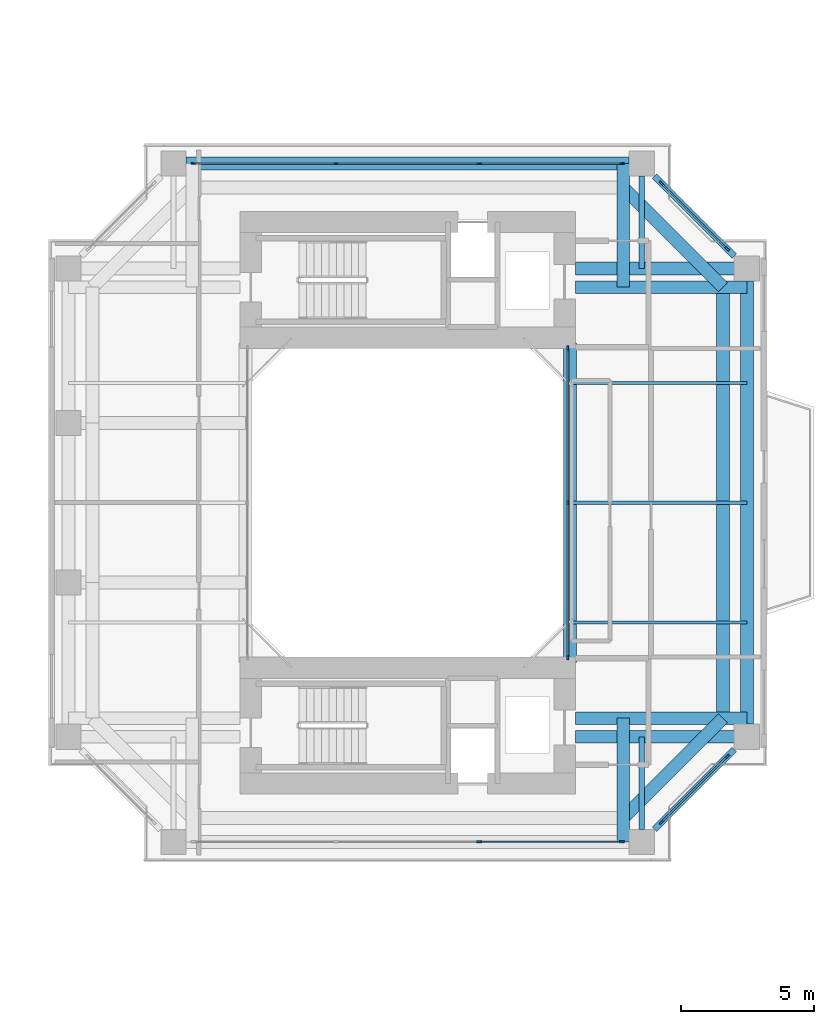
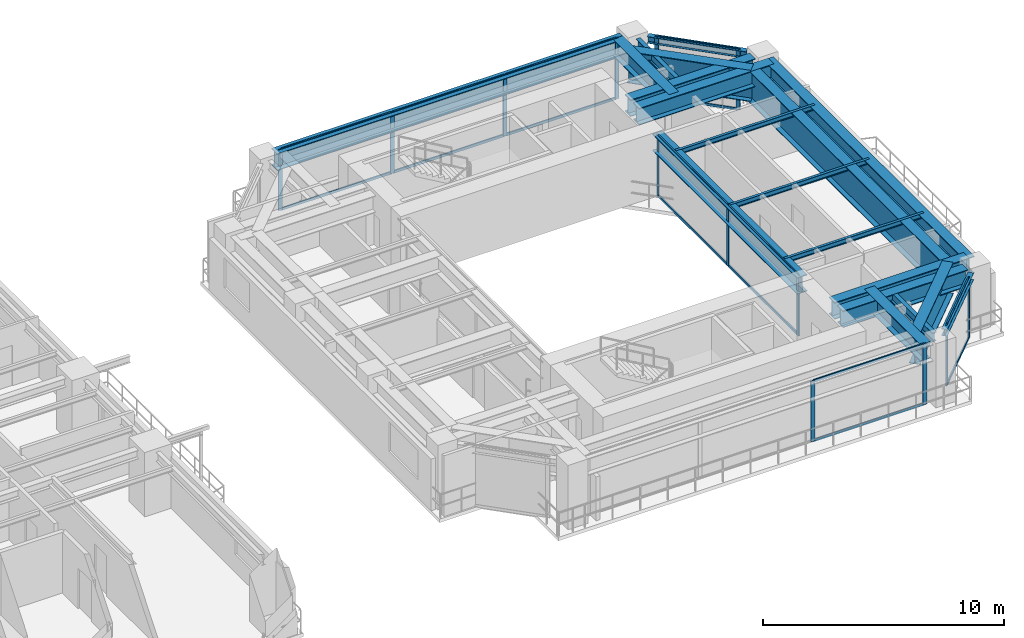
# One storey, part 11 of 23: 29 members, 19 beams, 5 elements without a shape of their own.
"""IFC4 building model written with IfcOpenShell, lengths in metres."""

import ifcopenshell
import ifcopenshell.guid

model = None  # the IFC model being written
_history = None  # IfcOwnerHistory: only IFC2X3 demands one
_inside = {}  # id of a spatial element -> (the spatial element, [elements in it])
_under = {}  # id of a project, library or spatial element -> (it, [spatial elements below it])
_declared = {}  # id of a project -> (the project, [libraries it declares])
_typed = {}  # id of a type object -> (the type object, [elements of that type])
_made_of = {}  # id of a material, layer set ... -> (it, [elements and type objects made of it])


def new_model(schema):
    """Start an empty IFC model of exactly this schema.

    Asked for "IFC4X3", IfcOpenShell would pick the latest addendum, in which some entities
    have other attributes; the version numbers below select the first issue.
    IFC2X3 requires an IfcOwnerHistory on every rooted entity: one is made here for all.
    """
    global model, _history
    if schema == "IFC4X3":
        model = ifcopenshell.file(schema_version=(4, 3, 0, 0))
    else:
        model = ifcopenshell.file(schema=schema)
    _inside.clear()
    _under.clear()
    _declared.clear()
    _typed.clear()
    _made_of.clear()
    _history = None
    if model.schema == "IFC2X3":
        org = make("IfcOrganization", Name="unknown")
        user = make(
            "IfcPersonAndOrganization",
            ThePerson=make("IfcPerson", FamilyName="unknown"),
            TheOrganization=org,
        )
        app = make(
            "IfcApplication",
            ApplicationDeveloper=org,
            Version="unknown",
            ApplicationFullName="unknown",
            ApplicationIdentifier="unknown",
        )
        _history = make(
            "IfcOwnerHistory",
            OwningUser=user,
            OwningApplication=app,
            ChangeAction="ADDED",
            CreationDate=0,
        )
    return model


def make(cls, **values):
    """One entity of the class cls with the attributes given. An attribute that is None is left unset."""
    return model.create_entity(
        cls, **{name: value for name, value in values.items() if value is not None}
    )


def rooted(cls, **values):
    """An entity with a GlobalId (a new one), such as an element, a storey or a relation."""
    return make(cls, GlobalId=ifcopenshell.guid.new(), OwnerHistory=_history, **values)


def si_unit(unit_type, name, prefix=None):
    """IfcSIUnit, for example si_unit("LENGTHUNIT", "METRE", prefix="MILLI")."""
    return make("IfcSIUnit", UnitType=unit_type, Prefix=prefix, Name=name)


def assignment(units):
    """IfcUnitAssignment: the units of a project."""
    return None if units is None else make("IfcUnitAssignment", Units=units)


def point(xyz):
    """IfcCartesianPoint."""
    return None if xyz is None else make("IfcCartesianPoint", Coordinates=xyz)


def direction(xyz):
    """IfcDirection."""
    return None if xyz is None else make("IfcDirection", DirectionRatios=xyz)


def frame(location, z_axis=None, x_axis=None):
    """IfcAxis2Placement3D, a coordinate frame: its origin and axes. An axis left out is left unset."""
    return make(
        "IfcAxis2Placement3D",
        Location=point(location),
        Axis=direction(z_axis),
        RefDirection=direction(x_axis),
    )


def frame_2d(location, x_axis=None):
    """IfcAxis2Placement2D, a coordinate frame in the plane: its origin and x axis."""
    return make(
        "IfcAxis2Placement2D", Location=point(location), RefDirection=direction(x_axis)
    )


def origin():
    """The frame at (0, 0, 0) with its axes left unset."""
    return frame((0.0, 0.0, 0.0))


def origin_2d():
    """The frame at (0, 0) in the plane with its x axis left unset."""
    return frame_2d((0.0, 0.0))


def place(relative_to, where):
    """IfcLocalPlacement: puts the frame where relative to a parent placement (None: the world)."""
    return make(
        "IfcLocalPlacement", PlacementRelTo=relative_to, RelativePlacement=where
    )


def context(
    kind, dimensions, precision=None, world=None, true_north=None, identifier=None
):
    """IfcGeometricRepresentationContext, for example the 3D "Model" context."""
    return make(
        "IfcGeometricRepresentationContext",
        ContextIdentifier=identifier,
        ContextType=kind,
        CoordinateSpaceDimension=dimensions,
        Precision=precision,
        WorldCoordinateSystem=world,
        TrueNorth=true_north,
    )


def subcontext(parent, identifier, kind, view, scale=None):
    """IfcGeometricRepresentationSubContext, for example "Body" below "Model"."""
    return make(
        "IfcGeometricRepresentationSubContext",
        ContextIdentifier=identifier,
        ContextType=kind,
        ParentContext=parent,
        TargetScale=scale,
        TargetView=view,
    )


def project(units=None, contexts=None):
    """IfcProject with its units and contexts."""
    return rooted(
        "IfcProject",
        Name="project",
        RepresentationContexts=contexts,
        UnitsInContext=assignment(units),
    )


def spatial(cls, under=None, at=None, **own):
    """A site, building, storey or space (cls), placed at a placement, below another one or the project."""
    s = rooted(cls, ObjectPlacement=at, **own)
    if under is not None:
        _under.setdefault(under.id(), (under, []))[1].append(s)
    return s


def profile(cls, at=None, kind="AREA", **sizes):
    """A parametric profile (cls). Its sizes go by their IFC names, for example OverallWidth=200.0."""
    return make(cls, ProfileType=kind, Position=at, **sizes)


def rectangle(**sizes):
    """IfcRectangleProfileDef."""
    return profile("IfcRectangleProfileDef", **sizes)


def i_section(**sizes):
    """IfcIShapeProfileDef."""
    return profile("IfcIShapeProfileDef", **sizes)


def extrude(swept, where, along, depth):
    """IfcExtrudedAreaSolid: the profile swept, set in the frame where, extruded along a direction by depth."""
    return make(
        "IfcExtrudedAreaSolid",
        SweptArea=swept,
        Position=where,
        ExtrudedDirection=direction(along),
        Depth=depth,
    )


def shape(context_of_items, identifier, shape_type, items):
    """IfcShapeRepresentation: the items that make up one representation, for example the "Body"."""
    return make(
        "IfcShapeRepresentation",
        ContextOfItems=context_of_items,
        RepresentationIdentifier=identifier,
        RepresentationType=shape_type,
        Items=items,
    )


def source(mapping_origin, context_of_items, identifier, shape_type, items):
    """IfcRepresentationMap: a shape defined once, which mapped items show again and again."""
    return make(
        "IfcRepresentationMap",
        MappingOrigin=mapping_origin,
        MappedRepresentation=shape(context_of_items, identifier, shape_type, items),
    )


def transform(
    local_origin,
    x_axis=None,
    y_axis=None,
    z_axis=None,
    scale=None,
    scale2=None,
    scale3=None,
    uniform=True,
):
    """IfcCartesianTransformationOperator3D, or its non-uniform kind. x_axis, y_axis, z_axis: its Axis1, 2, 3."""
    if uniform:
        return make(
            "IfcCartesianTransformationOperator3D",
            Axis1=direction(x_axis),
            Axis2=direction(y_axis),
            LocalOrigin=point(local_origin),
            Scale=scale,
            Axis3=direction(z_axis),
        )
    return make(
        "IfcCartesianTransformationOperator3DnonUniform",
        Axis1=direction(x_axis),
        Axis2=direction(y_axis),
        LocalOrigin=point(local_origin),
        Scale=scale,
        Axis3=direction(z_axis),
        Scale2=scale2,
        Scale3=scale3,
    )


def mapped(mapping_source, mapping_target):
    """IfcMappedItem: shows the shape of a source again, moved by a transform."""
    return make(
        "IfcMappedItem", MappingSource=mapping_source, MappingTarget=mapping_target
    )


def material(Name=None, Category=None):
    """IfcMaterial."""
    return make("IfcMaterial", Name=Name, Category=Category)


def layer(
    of_material, thickness, ventilated=None, Name=None, Category=None, Priority=None
):
    """IfcMaterialLayer: one layer of a wall or slab, of a material (None: an air gap)."""
    return make(
        "IfcMaterialLayer",
        Material=of_material,
        LayerThickness=thickness,
        IsVentilated=ventilated,
        Name=Name,
        Category=Category,
        Priority=Priority,
    )


def layer_set(layers, Name=None):
    """IfcMaterialLayerSet."""
    return make("IfcMaterialLayerSet", MaterialLayers=layers, LayerSetName=Name)


def material_profile(
    of_material, cross_section, Name=None, Category=None, Priority=None
):
    """IfcMaterialProfile: a cross section and its material."""
    return make(
        "IfcMaterialProfile",
        Name=Name,
        Material=of_material,
        Profile=cross_section,
        Priority=Priority,
        Category=Category,
    )


def profile_set(profiles, Name=None, composite=None):
    """IfcMaterialProfileSet."""
    return make(
        "IfcMaterialProfileSet",
        Name=Name,
        MaterialProfiles=profiles,
        CompositeProfile=composite,
    )


def made_of(thing, what):
    """Note that an element or type object is made of a material, layer set ...; save() writes the relation."""
    if what is not None:
        _made_of.setdefault(what.id(), (what, []))[1].append(thing)
    return thing


def type_object(cls, material=None, **own):
    """A type object (cls), such as IfcWallType, which elements share."""
    return made_of(rooted(cls, **own), material)


def element(
    cls,
    number,
    at=None,
    inside=None,
    cuts=None,
    type_object=None,
    material=None,
    context=None,
    identifier="Body",
    shape_type=None,
    held_by="IfcProductDefinitionShape",
    body=None,
    shapes=None,
    **own,
):
    """One element of the class cls, such as IfcWall. Its Tag is "e" and its number.

    at: its placement. inside: the storey or other place that contains it. cuts: it is an
    opening in that element (IfcRelVoidsElement). A single representation is given by context,
    identifier, shape_type and body (its items); several are given by shapes. held_by: the class
    of the entity that holds the representations. save() writes the other relations.
    """
    e = rooted(cls, Tag="e%d" % number, ObjectPlacement=at, **own)
    if body is not None:
        shapes = [shape(context, identifier, shape_type, body)]
    if shapes is not None:
        e.Representation = make(held_by, Representations=shapes)
    if inside is not None:
        _inside.setdefault(inside.id(), (inside, []))[1].append(e)
    if cuts is not None:
        rooted(
            "IfcRelVoidsElement", RelatingBuildingElement=cuts, RelatedOpeningElement=e
        )
    if type_object is not None:
        _typed.setdefault(type_object.id(), (type_object, []))[1].append(e)
    return made_of(e, material)


def aggregate(whole, parts):
    """IfcRelAggregates: a whole, such as a stair, and the parts it consists of."""
    return rooted("IfcRelAggregates", RelatingObject=whole, RelatedObjects=parts)


def save(model, path):
    """Write the relations noted so far, then the file.

    IfcRelAggregates (storeys below a building ...), IfcRelContainedInSpatialStructure (elements
    in a storey), IfcRelDefinesByType, IfcRelAssociatesMaterial and IfcRelDeclares: one each for
    every whole, place, type object, material and project.
    """
    for whole, parts in _under.values():
        aggregate(whole, parts)
    for where, things in _inside.values():
        rooted(
            "IfcRelContainedInSpatialStructure",
            RelatedElements=things,
            RelatingStructure=where,
        )
    for kind, things in _typed.values():
        rooted("IfcRelDefinesByType", RelatedObjects=things, RelatingType=kind)
    for what, things in _made_of.values():
        rooted("IfcRelAssociatesMaterial", RelatedObjects=things, RelatingMaterial=what)
    for by, libraries in _declared.values():
        rooted("IfcRelDeclares", RelatingContext=by, RelatedDefinitions=libraries)
    model.write(path)


model = new_model("IFC4")

# Units and contexts
model_context = context("Model", 3, precision=1e-05, world=origin(), true_north=direction((0.0, 1.0)))
body_context = subcontext(model_context, "Body", "Model", "MODEL_VIEW")
ifc_project = project(units=[si_unit("LENGTHUNIT", "METRE"), si_unit("AREAUNIT", "SQUARE_METRE"), si_unit("VOLUMEUNIT", "CUBIC_METRE"), si_unit("PLANEANGLEUNIT", "RADIAN"), si_unit("MASSUNIT", "GRAM", prefix="KILO"), si_unit("THERMODYNAMICTEMPERATUREUNIT", "KELVIN"), si_unit("POWERUNIT", "WATT")], contexts=[model_context])

# Site, building, storey
site_placement = place(None, origin())
site = spatial("IfcSite", under=ifc_project, at=site_placement, CompositionType="ELEMENT")
building_placement = place(site_placement, origin())
building = spatial("IfcBuilding", under=site, at=building_placement, Name="Qiaomeng Ring Towers", CompositionType="ELEMENT")
storey_placement = place(building_placement, frame((0.0, 0.0, 66.5)))
storey = spatial("IfcBuildingStorey", under=building, at=storey_placement, Name="L18", CompositionType="ELEMENT", Elevation=66.5)

# Beams
ifc_material_1 = material(Name="Steel Q355B", Category="steel")
ifc_material_profile_1 = material_profile(ifc_material_1, i_section(OverallWidth=0.25, OverallDepth=0.340087890625, WebThickness=0.009033203125, FlangeThickness=0.013916015625, FilletRadius=0.02001953125, at=origin_2d()), Name="HM 340x250x9x14")
ifc_profile_set_1 = profile_set([ifc_material_profile_1], Name="Steel Q355B")
beam_type_1 = type_object("IfcBeamType", Name="STR-BM-HM340", PredefinedType="SPANDREL", material=ifc_profile_set_1)
shared_shape_1 = source(origin(), body_context, "Body", "SweptSolid", [
    extrude(i_section(OverallWidth=0.25, OverallDepth=0.340087890625, WebThickness=0.009033203125, FlangeThickness=0.013916015625, FilletRadius=0.02001953125, at=origin_2d()), origin(), (0.0, 0.0, 1.0), 4.244384765625),
])
for number, where, z_axis, x_axis, name in (
    (1, (69.7744140625, 10.724365234375, 2.89990234375), (0.707106781187, 0.707106781187, 0.0), (-0.707106781187, 0.707106781187, 0.0), "L18 beam STR-SP-L18-T2-S2-E1"),
    (2, (72.775634765625, 32.2744140625, 2.89990234375), (-0.707106781187, 0.707106781187, 0.0), (-0.707106781187, -0.707106781187, 0.0), "L18 beam STR-SP-L18-T2-E2-N2"),
):
    element("IfcBeam", number, at=place(storey_placement, frame(where, z_axis=z_axis, x_axis=x_axis)), inside=storey, type_object=beam_type_1, Name=name, PredefinedType="SPANDREL", context=body_context, shape_type="MappedRepresentation", body=[
        mapped(shared_shape_1, transform((0.0, 0.0, 0.0), x_axis=(1.0, 0.0, 0.0), y_axis=(0.0, 1.0, 0.0), z_axis=(0.0, 0.0, 1.0), scale=1.0)),
    ])
ifc_material_profile_2 = material_profile(ifc_material_1, i_section(OverallWidth=0.199951171875, OverallDepth=0.449951171875, WebThickness=0.009033203125, FlangeThickness=0.013916015625, FilletRadius=0.01806640625, at=origin_2d()), Name="HN 450x200x9x14")
ifc_profile_set_2 = profile_set([ifc_material_profile_2], Name="Steel Q355B")
beam_type_2 = type_object("IfcBeamType", Name="STR-BM-HN450", PredefinedType="SPANDREL", material=ifc_profile_set_2)
shared_shape_2 = source(origin(), body_context, "Body", "SweptSolid", [
    extrude(i_section(OverallWidth=0.199951171875, OverallDepth=0.449951171875, WebThickness=0.009033203125, FlangeThickness=0.013916015625, FilletRadius=0.01806640625, at=origin_2d()), origin(), (0.0, 0.0, 1.0), 3.475830078125),
])
for number, where, z_axis, x_axis, name in (
    (3, (69.300048828125, 35.27587890625, 2.844970703125), (0.0, -1.0, 0.0), (1.0, 0.0, 0.0), "L18 beam STR-BM-L18-T2-RAD-N2"),
    (4, (69.300048828125, 10.72412109375, 2.844970703125), (0.0, 1.0, 0.0), (-1.0, 0.0, 0.0), "L18 beam STR-BM-L18-T2-RAD-S2"),
):
    element("IfcBeam", number, at=place(storey_placement, frame(where, z_axis=z_axis, x_axis=x_axis)), inside=storey, type_object=beam_type_2, Name=name, PredefinedType="SPANDREL", context=body_context, shape_type="MappedRepresentation", body=[
        mapped(shared_shape_2, transform((0.0, 0.0, 0.0), x_axis=(1.0, 0.0, 0.0), y_axis=(0.0, 1.0, 0.0), z_axis=(0.0, 0.0, 1.0), scale=1.0)),
    ])
ifc_material_profile_3 = material_profile(ifc_material_1, i_section(OverallWidth=0.125, OverallDepth=0.25, WebThickness=0.006103515625, FlangeThickness=0.009033203125, FilletRadius=0.011962890625, at=origin_2d()), Name="HN 250x125x6x9")
ifc_profile_set_3 = profile_set([ifc_material_profile_3], Name="Steel Q355B")
beam_type_3 = type_object("IfcBeamType", Name="STR-BM-HN250", PredefinedType="JOIST", material=ifc_profile_set_3)
shared_shape_3 = source(origin(), body_context, "Body", "SweptSolid", [
    extrude(i_section(OverallWidth=0.125, OverallDepth=0.25, WebThickness=0.006103515625, FlangeThickness=0.009033203125, FilletRadius=0.011962890625, at=origin_2d()), origin(), (0.0, 0.0, 1.0), 6.64990234375),
])
for number, where, z_axis, x_axis, name in (
    (5, (66.60009765625, 18.5, 2.945068359375), (1.0, 0.0, 0.0), (0.0, 1.0, 0.0), "L18 beam STR-JST-L18-T2E-1"),
    (6, (66.60009765625, 23.0, 2.945068359375), (1.0, 0.0, 0.0), (0.0, 1.0, 0.0), "L18 beam STR-JST-L18-T2E-2"),
    (7, (66.60009765625, 27.5, 2.945068359375), (1.0, 0.0, 0.0), (0.0, 1.0, 0.0), "L18 beam STR-JST-L18-T2E-3"),
):
    element("IfcBeam", number, at=place(storey_placement, frame(where, z_axis=z_axis, x_axis=x_axis)), inside=storey, type_object=beam_type_3, Name=name, PredefinedType="JOIST", context=body_context, shape_type="MappedRepresentation", body=[
        mapped(shared_shape_3, transform((0.0, 0.0, 0.0), x_axis=(1.0, 0.0, 0.0), y_axis=(0.0, 1.0, 0.0), z_axis=(0.0, 0.0, 1.0), scale=1.0)),
    ])
ifc_material_2 = material(Name="Steel Q390GJC", Category="steel")
ifc_material_profile_4 = material_profile(ifc_material_2, i_section(OverallWidth=0.47998046875, OverallDepth=0.85009765625, WebThickness=0.02197265625, FlangeThickness=0.035888671875, at=origin_2d()), Name="WH 850x480x22x36")
ifc_profile_set_4 = profile_set([ifc_material_profile_4], Name="Steel Q390GJC")
beam_type_4 = type_object("IfcBeamType", Name="STR-TG-WH850", PredefinedType="USERDEFINED", material=ifc_profile_set_4)
shared_shape_4 = source(origin(), body_context, "Body", "SweptSolid", [
    extrude(i_section(OverallWidth=0.47998046875, OverallDepth=0.85009765625, WebThickness=0.02197265625, FlangeThickness=0.035888671875, at=origin_2d()), origin(), (0.0, 0.0, 1.0), 16.65185546875),
])
for number, where, z_axis, x_axis, name in (
    (8, (73.25, 14.674072265625, 2.64501953125), (0.0, 1.0, 0.0), (-1.0, 0.0, 0.0), "L18 Transfer Girder STR-TG3-L18-T2-OUT-E"),
    (9, (52.174072265625, 35.75, 2.64501953125), (1.0, 0.0, 0.0), (0.0, 1.0, 0.0), "L18 Transfer Girder STR-TG3-L18-T2-OUT-N"),
):
    element("IfcBeam", number, at=place(storey_placement, frame(where, z_axis=z_axis, x_axis=x_axis)), inside=storey, type_object=beam_type_4, Name=name, ObjectType="TRANSFER GIRDER", PredefinedType="USERDEFINED", context=body_context, shape_type="MappedRepresentation", body=[
        mapped(shared_shape_4, transform((0.0, 0.0, 0.0), x_axis=(1.0, 0.0, 0.0), y_axis=(0.0, 1.0, 0.0), z_axis=(0.0, 0.0, 1.0), scale=1.0)),
    ])
shared_shape_5 = source(origin(), body_context, "Body", "SweptSolid", [
    extrude(i_section(OverallWidth=0.47998046875, OverallDepth=0.85009765625, WebThickness=0.02197265625, FlangeThickness=0.035888671875, at=origin_2d()), origin(), (0.0, 0.0, 1.0), 12.0),
])
beam_1_placement = place(storey_placement, frame((66.60009765625, 17.0, 2.64501953125), z_axis=(0.0, 1.0, 0.0), x_axis=(-1.0, 0.0, 0.0)))
element("IfcBeam", 10, at=beam_1_placement, inside=storey, type_object=beam_type_4, Name="L18 Transfer Girder STR-TG3-L18-T2-WELL-E", ObjectType="TRANSFER GIRDER", PredefinedType="USERDEFINED", context=body_context, shape_type="MappedRepresentation", body=[
    mapped(shared_shape_5, transform((0.0, 0.0, 0.0), x_axis=(1.0, 0.0, 0.0), y_axis=(0.0, 1.0, 0.0), z_axis=(0.0, 0.0, 1.0), scale=1.0)),
])
shared_shape_6 = source(origin(), body_context, "Body", "SweptSolid", [
    extrude(i_section(OverallWidth=0.47998046875, OverallDepth=0.85009765625, WebThickness=0.02197265625, FlangeThickness=0.035888671875, at=origin_2d()), origin(), (0.0, 0.0, 1.0), 5.975830078125),
])
for number, where, z_axis, x_axis, name in (
    (11, (66.800048828125, 31.800048828125, 2.64501953125), (1.0, 0.0, 0.0), (0.0, 1.0, 0.0), "L18 Transfer Girder STR-TG3-L18-T2-E2-CUR"),
    (12, (66.800048828125, 14.199951171875, 2.64501953125), (1.0, 0.0, 0.0), (0.0, 1.0, 0.0), "L18 Transfer Girder STR-TG3-L18-T2-E1-CUR"),
):
    element("IfcBeam", number, at=place(storey_placement, frame(where, z_axis=z_axis, x_axis=x_axis)), inside=storey, type_object=beam_type_4, Name=name, ObjectType="TRANSFER GIRDER", PredefinedType="USERDEFINED", context=body_context, shape_type="MappedRepresentation", body=[
        mapped(shared_shape_6, transform((0.0, 0.0, 0.0), x_axis=(1.0, 0.0, 0.0), y_axis=(0.0, 1.0, 0.0), z_axis=(0.0, 0.0, 1.0), scale=1.0)),
    ])
shared_shape_7 = source(origin(), body_context, "Body", "SweptSolid", [
    extrude(i_section(OverallWidth=0.47998046875, OverallDepth=0.85009765625, WebThickness=0.02197265625, FlangeThickness=0.035888671875, at=origin_2d()), origin(), (0.0, 0.0, 1.0), 6.449951171875),
])
for number, where, z_axis, x_axis, name in (
    (13, (66.800048828125, 31.10009765625, 2.64501953125), (1.0, 0.0, 0.0), (0.0, 1.0, 0.0), "L18 Transfer Girder STR-TG3-L18-T2-E2-NXT"),
    (14, (66.800048828125, 14.89990234375, 2.64501953125), (1.0, 0.0, 0.0), (0.0, 1.0, 0.0), "L18 Transfer Girder STR-TG3-L18-T2-E1-NXT"),
):
    element("IfcBeam", number, at=place(storey_placement, frame(where, z_axis=z_axis, x_axis=x_axis)), inside=storey, type_object=beam_type_4, Name=name, ObjectType="TRANSFER GIRDER", PredefinedType="USERDEFINED", context=body_context, shape_type="MappedRepresentation", body=[
        mapped(shared_shape_7, transform((0.0, 0.0, 0.0), x_axis=(1.0, 0.0, 0.0), y_axis=(0.0, 1.0, 0.0), z_axis=(0.0, 0.0, 1.0), scale=1.0)),
    ])
shared_shape_8 = source(origin(), body_context, "Body", "SweptSolid", [
    extrude(i_section(OverallWidth=0.47998046875, OverallDepth=0.85009765625, WebThickness=0.02197265625, FlangeThickness=0.035888671875, at=origin_2d()), origin(), (0.0, 0.0, 1.0), 4.64990234375),
])
for number, where, z_axis, x_axis, name in (
    (15, (68.60009765625, 35.75, 2.64501953125), (0.0, -1.0, 0.0), (1.0, 0.0, 0.0), "L18 Transfer Girder STR-TG3-L18-T2-N2"),
    (16, (68.60009765625, 10.25, 2.64501953125), (0.0, 1.0, 0.0), (-1.0, 0.0, 0.0), "L18 Transfer Girder STR-TG3-L18-T2-S2"),
):
    element("IfcBeam", number, at=place(storey_placement, frame(where, z_axis=z_axis, x_axis=x_axis)), inside=storey, type_object=beam_type_4, Name=name, ObjectType="TRANSFER GIRDER", PredefinedType="USERDEFINED", context=body_context, shape_type="MappedRepresentation", body=[
        mapped(shared_shape_8, transform((0.0, 0.0, 0.0), x_axis=(1.0, 0.0, 0.0), y_axis=(0.0, 1.0, 0.0), z_axis=(0.0, 0.0, 1.0), scale=1.0)),
    ])
ifc_material_profile_5 = material_profile(ifc_material_2, i_section(OverallWidth=0.47998046875, OverallDepth=1.60009765625, WebThickness=0.02197265625, FlangeThickness=0.035888671875, at=origin_2d()), Name="WH 1600x480x22x36")
ifc_profile_set_5 = profile_set([ifc_material_profile_5], Name="Steel Q390GJC")
beam_type_5 = type_object("IfcBeamType", Name="STR-TG-WH1600", PredefinedType="USERDEFINED", material=ifc_profile_set_5)
shared_shape_9 = source(origin(), body_context, "Body", "SweptSolid", [
    extrude(i_section(OverallWidth=0.47998046875, OverallDepth=1.60009765625, WebThickness=0.02197265625, FlangeThickness=0.035888671875, at=origin_2d()), origin(), (0.0, 0.0, 1.0), 16.2001953125),
])
beam_2_placement = place(storey_placement, frame((72.35009765625, 14.89990234375, 2.27001953125), z_axis=(0.0, 1.0, 0.0), x_axis=(-1.0, 0.0, 0.0)))
element("IfcBeam", 17, at=beam_2_placement, inside=storey, type_object=beam_type_5, Name="L18 Transfer Girder STR-TG3-L18-T2-E1-E2", ObjectType="TRANSFER GIRDER", PredefinedType="USERDEFINED", context=body_context, shape_type="MappedRepresentation", body=[
    mapped(shared_shape_9, transform((0.0, 0.0, 0.0), x_axis=(1.0, 0.0, 0.0), y_axis=(0.0, 1.0, 0.0), z_axis=(0.0, 0.0, 1.0), scale=1.0)),
])
shared_shape_10 = source(origin(), body_context, "Body", "SweptSolid", [
    extrude(i_section(OverallWidth=0.47998046875, OverallDepth=1.60009765625, WebThickness=0.02197265625, FlangeThickness=0.035888671875, at=origin_2d()), origin(), (0.0, 0.0, 1.0), 5.30322265625),
])
for number, where, z_axis, x_axis, name in (
    (18, (68.60009765625, 11.14990234375, 2.27001953125), (0.707106781187, 0.707106781187, 0.0), (-0.707106781187, 0.707106781187, 0.0), "L18 Transfer Girder STR-TG3-L18-T2-S2-E1"),
    (19, (72.35009765625, 31.10009765625, 2.27001953125), (-0.707106781187, 0.707106781187, 0.0), (-0.707106781187, -0.707106781187, 0.0), "L18 Transfer Girder STR-TG3-L18-T2-E2-N2"),
):
    element("IfcBeam", number, at=place(storey_placement, frame(where, z_axis=z_axis, x_axis=x_axis)), inside=storey, type_object=beam_type_5, Name=name, ObjectType="TRANSFER GIRDER", PredefinedType="USERDEFINED", context=body_context, shape_type="MappedRepresentation", body=[
        mapped(shared_shape_10, transform((0.0, 0.0, 0.0), x_axis=(1.0, 0.0, 0.0), y_axis=(0.0, 1.0, 0.0), z_axis=(0.0, 0.0, 1.0), scale=1.0)),
    ])

# Curtain wall, members
ifc_material_3 = material(Name="Fluorocarbon dark-grey aluminium", Category="aluminium")
ifc_layer_1 = layer(ifc_material_3, 0.139892578125, Name="Fluorocarbon dark-grey aluminium")
ifc_layer_set_1 = layer_set([ifc_layer_1], Name="Fluorocarbon dark-grey aluminium")
curtain_wall_type_1 = type_object("IfcCurtainWallType", Name="ARC-CW-4", PredefinedType="NOTDEFINED", material=ifc_layer_set_1)
curtain_wall_1_placement = place(storey_placement, origin())
curtain_wall_1 = element("IfcCurtainWall", 20, at=curtain_wall_1_placement, inside=storey, type_object=curtain_wall_type_1, Name="L18 Curtain Wall CW4", PredefinedType="NOTDEFINED")
ifc_material_profile_6 = material_profile(ifc_material_3, rectangle(XDim=0.06494140625, YDim=0.159912109375, at=origin_2d()), Name="ALU MULL 65x160")
ifc_profile_set_6 = profile_set([ifc_material_profile_6], Name="Fluorocarbon dark-grey aluminium")
member_type_1 = type_object("IfcMemberType", Name="ARC-CWM-140", PredefinedType="MULLION", material=ifc_profile_set_6)
shared_shape_11 = source(origin(), body_context, "Body", "SweptSolid", [
    extrude(rectangle(XDim=0.06494140625, YDim=0.159912109375, at=origin_2d()), origin(), (0.0, 0.0, 1.0), 3.070068359375),
])
member_1_placement = place(storey_placement, frame((66.52001953125, 17.1826171875, 0.0), z_axis=(0.0, 0.0, 1.0), x_axis=(-1.0, 0.0, 0.0)))
member_1 = element("IfcMember", 21, at=member_1_placement, type_object=member_type_1, Name="CW4 mullion 1", PredefinedType="MULLION", context=body_context, shape_type="MappedRepresentation", body=[
    mapped(shared_shape_11, transform((0.0, 0.0, 0.0), x_axis=(1.0, 0.0, 0.0), y_axis=(0.0, 1.0, 0.0), z_axis=(0.0, 0.0, 1.0), scale=1.0)),
])
member_2_placement = place(storey_placement, frame((66.52001953125, 23.0, 0.0), z_axis=(0.0, 0.0, 1.0), x_axis=(-1.0, 0.0, 0.0)))
member_2 = element("IfcMember", 22, at=member_2_placement, type_object=member_type_1, Name="CW4 mullion 2", PredefinedType="MULLION", context=body_context, shape_type="MappedRepresentation", body=[
    mapped(shared_shape_11, transform((0.0, 0.0, 0.0), x_axis=(1.0, 0.0, 0.0), y_axis=(0.0, 1.0, 0.0), z_axis=(0.0, 0.0, 1.0), scale=1.0)),
])
member_3_placement = place(storey_placement, frame((66.52001953125, 28.8173828125, 0.0), z_axis=(0.0, 0.0, 1.0), x_axis=(-1.0, 0.0, 0.0)))
member_3 = element("IfcMember", 23, at=member_3_placement, type_object=member_type_1, Name="CW4 mullion 3", PredefinedType="MULLION", context=body_context, shape_type="MappedRepresentation", body=[
    mapped(shared_shape_11, transform((0.0, 0.0, 0.0), x_axis=(1.0, 0.0, 0.0), y_axis=(0.0, 1.0, 0.0), z_axis=(0.0, 0.0, 1.0), scale=1.0)),
])
ifc_material_profile_7 = material_profile(ifc_material_3, rectangle(XDim=0.06494140625, YDim=0.1298828125, at=origin_2d()), Name="ALU TRAN 65x130")
ifc_profile_set_7 = profile_set([ifc_material_profile_7], Name="Fluorocarbon dark-grey aluminium")
member_type_2 = type_object("IfcMemberType", Name="ARC-CWT-120", PredefinedType="USERDEFINED", material=ifc_profile_set_7)
shared_shape_12 = source(origin(), body_context, "Body", "SweptSolid", [
    extrude(rectangle(XDim=0.06494140625, YDim=0.1298828125, at=origin_2d()), origin(), (0.0, 0.0, 1.0), 5.75244140625),
])
member_4_placement = place(storey_placement, frame((66.52001953125, 17.215087890625, 0.032470703125), z_axis=(0.0, 1.0, 0.0), x_axis=(-1.0, 0.0, 0.0)))
member_4 = element("IfcMember", 24, at=member_4_placement, type_object=member_type_2, Name="CW4 transom 1.1", ObjectType="TRANSOM", PredefinedType="USERDEFINED", context=body_context, shape_type="MappedRepresentation", body=[
    mapped(shared_shape_12, transform((0.0, 0.0, 0.0), x_axis=(1.0, 0.0, 0.0), y_axis=(0.0, 1.0, 0.0), z_axis=(0.0, 0.0, 1.0), scale=1.0)),
])
member_5_placement = place(storey_placement, frame((66.52001953125, 17.215087890625, 3.03759765625), z_axis=(0.0, 1.0, 0.0), x_axis=(-1.0, 0.0, 0.0)))
member_5 = element("IfcMember", 25, at=member_5_placement, type_object=member_type_2, Name="CW4 transom 1.2", ObjectType="TRANSOM", PredefinedType="USERDEFINED", context=body_context, shape_type="MappedRepresentation", body=[
    mapped(shared_shape_12, transform((0.0, 0.0, 0.0), x_axis=(1.0, 0.0, 0.0), y_axis=(0.0, 1.0, 0.0), z_axis=(0.0, 0.0, 1.0), scale=1.0)),
])
member_6_placement = place(storey_placement, frame((66.52001953125, 23.032470703125, 0.032470703125), z_axis=(0.0, 1.0, 0.0), x_axis=(-1.0, 0.0, 0.0)))
member_6 = element("IfcMember", 26, at=member_6_placement, type_object=member_type_2, Name="CW4 transom 2.1", ObjectType="TRANSOM", PredefinedType="USERDEFINED", context=body_context, shape_type="MappedRepresentation", body=[
    mapped(shared_shape_12, transform((0.0, 0.0, 0.0), x_axis=(1.0, 0.0, 0.0), y_axis=(0.0, 1.0, 0.0), z_axis=(0.0, 0.0, 1.0), scale=1.0)),
])
member_7_placement = place(storey_placement, frame((66.52001953125, 23.032470703125, 3.03759765625), z_axis=(0.0, 1.0, 0.0), x_axis=(-1.0, 0.0, 0.0)))
member_7 = element("IfcMember", 27, at=member_7_placement, type_object=member_type_2, Name="CW4 transom 2.2", ObjectType="TRANSOM", PredefinedType="USERDEFINED", context=body_context, shape_type="MappedRepresentation", body=[
    mapped(shared_shape_12, transform((0.0, 0.0, 0.0), x_axis=(1.0, 0.0, 0.0), y_axis=(0.0, 1.0, 0.0), z_axis=(0.0, 0.0, 1.0), scale=1.0)),
])
aggregate(curtain_wall_1, [member_1, member_2, member_3, member_4, member_5, member_6, member_7])

ifc_layer_2 = layer(ifc_material_3, 0.14990234375, Name="Fluorocarbon dark-grey aluminium")
ifc_layer_set_2 = layer_set([ifc_layer_2], Name="Fluorocarbon dark-grey aluminium")
curtain_wall_type_2 = type_object("IfcCurtainWallType", Name="ARC-CW-5", PredefinedType="NOTDEFINED", material=ifc_layer_set_2)
curtain_wall_2_placement = place(storey_placement, origin())
curtain_wall_2 = element("IfcCurtainWall", 28, at=curtain_wall_2_placement, inside=storey, type_object=curtain_wall_type_2, Name="L18 Curtain Wall CW5", PredefinedType="NOTDEFINED")
ifc_material_profile_8 = material_profile(ifc_material_3, rectangle(XDim=0.070068359375, YDim=0.179931640625, at=origin_2d()), Name="ALU MULL 70x180")
ifc_profile_set_8 = profile_set([ifc_material_profile_8], Name="Fluorocarbon dark-grey aluminium")
member_type_3 = type_object("IfcMemberType", Name="ARC-CWM-160", PredefinedType="MULLION", material=ifc_profile_set_8)
shared_shape_13 = source(origin(), body_context, "Body", "SweptSolid", [
    extrude(rectangle(XDim=0.070068359375, YDim=0.179931640625, at=origin_2d()), origin(), (0.0, 0.0, 1.0), 3.070068359375),
])
member_8_placement = place(storey_placement, frame((52.449951171875, 35.75, 0.0), z_axis=(0.0, 0.0, 1.0), x_axis=(0.0, 1.0, 0.0)))
member_8 = element("IfcMember", 29, at=member_8_placement, type_object=member_type_3, Name="CW5 mullion 1", PredefinedType="MULLION", context=body_context, shape_type="MappedRepresentation", body=[
    mapped(shared_shape_13, transform((0.0, 0.0, 0.0), x_axis=(1.0, 0.0, 0.0), y_axis=(0.0, 1.0, 0.0), z_axis=(0.0, 0.0, 1.0), scale=1.0)),
])
member_9_placement = place(storey_placement, frame((57.804931640625, 35.75, 0.0), z_axis=(0.0, 0.0, 1.0), x_axis=(0.0, 1.0, 0.0)))
member_9 = element("IfcMember", 30, at=member_9_placement, type_object=member_type_3, Name="CW5 mullion 2", PredefinedType="MULLION", context=body_context, shape_type="MappedRepresentation", body=[
    mapped(shared_shape_13, transform((0.0, 0.0, 0.0), x_axis=(1.0, 0.0, 0.0), y_axis=(0.0, 1.0, 0.0), z_axis=(0.0, 0.0, 1.0), scale=1.0)),
])
member_10_placement = place(storey_placement, frame((63.195068359375, 35.75, 0.0), z_axis=(0.0, 0.0, 1.0), x_axis=(0.0, 1.0, 0.0)))
member_10 = element("IfcMember", 31, at=member_10_placement, type_object=member_type_3, Name="CW5 mullion 3", PredefinedType="MULLION", context=body_context, shape_type="MappedRepresentation", body=[
    mapped(shared_shape_13, transform((0.0, 0.0, 0.0), x_axis=(1.0, 0.0, 0.0), y_axis=(0.0, 1.0, 0.0), z_axis=(0.0, 0.0, 1.0), scale=1.0)),
])
member_11_placement = place(storey_placement, frame((68.550048828125, 35.75, 0.0), z_axis=(0.0, 0.0, 1.0), x_axis=(0.0, 1.0, 0.0)))
member_11 = element("IfcMember", 32, at=member_11_placement, type_object=member_type_3, Name="CW5 mullion 4", PredefinedType="MULLION", context=body_context, shape_type="MappedRepresentation", body=[
    mapped(shared_shape_13, transform((0.0, 0.0, 0.0), x_axis=(1.0, 0.0, 0.0), y_axis=(0.0, 1.0, 0.0), z_axis=(0.0, 0.0, 1.0), scale=1.0)),
])

curtain_wall_3_placement = place(storey_placement, origin())
curtain_wall_3 = element("IfcCurtainWall", 33, at=curtain_wall_3_placement, inside=storey, type_object=curtain_wall_type_2, Name="L18 Curtain Wall CW5", PredefinedType="NOTDEFINED")
member_12_placement = place(storey_placement, frame((70.039794921875, 10.98974609375, 0.0), z_axis=(0.0, 0.0, 1.0), x_axis=(-0.707106781187, 0.707106781187, 0.0)))
member_12 = element("IfcMember", 34, at=member_12_placement, type_object=member_type_3, Name="CW5 mullion 1", PredefinedType="MULLION", context=body_context, shape_type="MappedRepresentation", body=[
    mapped(shared_shape_13, transform((0.0, 0.0, 0.0), x_axis=(1.0, 0.0, 0.0), y_axis=(0.0, 1.0, 0.0), z_axis=(0.0, 0.0, 1.0), scale=1.0)),
])
member_13_placement = place(storey_placement, frame((72.51025390625, 13.460205078125, 0.0), z_axis=(0.0, 0.0, 1.0), x_axis=(-0.707106781187, 0.707106781187, 0.0)))
member_13 = element("IfcMember", 35, at=member_13_placement, type_object=member_type_3, Name="CW5 mullion 2", PredefinedType="MULLION", context=body_context, shape_type="MappedRepresentation", body=[
    mapped(shared_shape_13, transform((0.0, 0.0, 0.0), x_axis=(1.0, 0.0, 0.0), y_axis=(0.0, 1.0, 0.0), z_axis=(0.0, 0.0, 1.0), scale=1.0)),
])

curtain_wall_4_placement = place(storey_placement, origin())
curtain_wall_4 = element("IfcCurtainWall", 36, at=curtain_wall_4_placement, inside=storey, type_object=curtain_wall_type_2, Name="L18 Curtain Wall CW5", PredefinedType="NOTDEFINED")
member_14_placement = place(storey_placement, frame((72.51025390625, 32.539794921875, 0.0), z_axis=(0.0, 0.0, 1.0), x_axis=(-0.707106781187, -0.707106781187, 0.0)))
member_14 = element("IfcMember", 37, at=member_14_placement, type_object=member_type_3, Name="CW5 mullion 1", PredefinedType="MULLION", context=body_context, shape_type="MappedRepresentation", body=[
    mapped(shared_shape_13, transform((0.0, 0.0, 0.0), x_axis=(1.0, 0.0, 0.0), y_axis=(0.0, 1.0, 0.0), z_axis=(0.0, 0.0, 1.0), scale=1.0)),
])
member_15_placement = place(storey_placement, frame((70.039794921875, 35.01025390625, 0.0), z_axis=(0.0, 0.0, 1.0), x_axis=(-0.707106781187, -0.707106781187, 0.0)))
member_15 = element("IfcMember", 38, at=member_15_placement, type_object=member_type_3, Name="CW5 mullion 2", PredefinedType="MULLION", context=body_context, shape_type="MappedRepresentation", body=[
    mapped(shared_shape_13, transform((0.0, 0.0, 0.0), x_axis=(1.0, 0.0, 0.0), y_axis=(0.0, 1.0, 0.0), z_axis=(0.0, 0.0, 1.0), scale=1.0)),
])

curtain_wall_5_placement = place(storey_placement, origin())
curtain_wall_5 = element("IfcCurtainWall", 39, at=curtain_wall_5_placement, inside=storey, type_object=curtain_wall_type_2, Name="L18 Curtain Wall CW5", PredefinedType="NOTDEFINED")
member_16_placement = place(storey_placement, frame((63.195068359375, 10.25, 0.0), z_axis=(0.0, 0.0, 1.0), x_axis=(0.0, 1.0, 0.0)))
member_16 = element("IfcMember", 40, at=member_16_placement, type_object=member_type_3, Name="CW5 mullion 3", PredefinedType="MULLION", context=body_context, shape_type="MappedRepresentation", body=[
    mapped(shared_shape_13, transform((0.0, 0.0, 0.0), x_axis=(1.0, 0.0, 0.0), y_axis=(0.0, 1.0, 0.0), z_axis=(0.0, 0.0, 1.0), scale=1.0)),
])
member_17_placement = place(storey_placement, frame((68.550048828125, 10.25, 0.0), z_axis=(0.0, 0.0, 1.0), x_axis=(0.0, 1.0, 0.0)))
member_17 = element("IfcMember", 41, at=member_17_placement, type_object=member_type_3, Name="CW5 mullion 4", PredefinedType="MULLION", context=body_context, shape_type="MappedRepresentation", body=[
    mapped(shared_shape_13, transform((0.0, 0.0, 0.0), x_axis=(1.0, 0.0, 0.0), y_axis=(0.0, 1.0, 0.0), z_axis=(0.0, 0.0, 1.0), scale=1.0)),
])

# Member
shared_shape_14 = source(origin(), body_context, "Body", "SweptSolid", [
    extrude(rectangle(XDim=0.06494140625, YDim=0.1298828125, at=origin_2d()), origin(), (0.0, 0.0, 1.0), 5.284912109375),
])
member_18_placement = place(storey_placement, frame((52.485107421875, 35.75, 0.032470703125), z_axis=(1.0, 0.0, 0.0), x_axis=(0.0, 1.0, 0.0)))
member_18 = element("IfcMember", 42, at=member_18_placement, type_object=member_type_2, Name="CW5 transom 1.1", ObjectType="TRANSOM", PredefinedType="USERDEFINED", context=body_context, shape_type="MappedRepresentation", body=[
    mapped(shared_shape_14, transform((0.0, 0.0, 0.0), x_axis=(1.0, 0.0, 0.0), y_axis=(0.0, 1.0, 0.0), z_axis=(0.0, 0.0, 1.0), scale=1.0)),
])

member_19_placement = place(storey_placement, frame((52.485107421875, 35.75, 3.03759765625), z_axis=(1.0, 0.0, 0.0), x_axis=(0.0, 1.0, 0.0)))
member_19 = element("IfcMember", 43, at=member_19_placement, type_object=member_type_2, Name="CW5 transom 1.2", ObjectType="TRANSOM", PredefinedType="USERDEFINED", context=body_context, shape_type="MappedRepresentation", body=[
    mapped(shared_shape_14, transform((0.0, 0.0, 0.0), x_axis=(1.0, 0.0, 0.0), y_axis=(0.0, 1.0, 0.0), z_axis=(0.0, 0.0, 1.0), scale=1.0)),
])

member_20_placement = place(storey_placement, frame((63.22998046875, 35.75, 0.032470703125), z_axis=(1.0, 0.0, 0.0), x_axis=(0.0, 1.0, 0.0)))
member_20 = element("IfcMember", 44, at=member_20_placement, type_object=member_type_2, Name="CW5 transom 3.1", ObjectType="TRANSOM", PredefinedType="USERDEFINED", context=body_context, shape_type="MappedRepresentation", body=[
    mapped(shared_shape_14, transform((0.0, 0.0, 0.0), x_axis=(1.0, 0.0, 0.0), y_axis=(0.0, 1.0, 0.0), z_axis=(0.0, 0.0, 1.0), scale=1.0)),
])

member_21_placement = place(storey_placement, frame((63.22998046875, 35.75, 3.03759765625), z_axis=(1.0, 0.0, 0.0), x_axis=(0.0, 1.0, 0.0)))
member_21 = element("IfcMember", 45, at=member_21_placement, type_object=member_type_2, Name="CW5 transom 3.2", ObjectType="TRANSOM", PredefinedType="USERDEFINED", context=body_context, shape_type="MappedRepresentation", body=[
    mapped(shared_shape_14, transform((0.0, 0.0, 0.0), x_axis=(1.0, 0.0, 0.0), y_axis=(0.0, 1.0, 0.0), z_axis=(0.0, 0.0, 1.0), scale=1.0)),
])

member_22_placement = place(storey_placement, frame((63.22998046875, 10.25, 0.032470703125), z_axis=(1.0, 0.0, 0.0), x_axis=(0.0, 1.0, 0.0)))
member_22 = element("IfcMember", 46, at=member_22_placement, type_object=member_type_2, Name="CW5 transom 3.1", ObjectType="TRANSOM", PredefinedType="USERDEFINED", context=body_context, shape_type="MappedRepresentation", body=[
    mapped(shared_shape_14, transform((0.0, 0.0, 0.0), x_axis=(1.0, 0.0, 0.0), y_axis=(0.0, 1.0, 0.0), z_axis=(0.0, 0.0, 1.0), scale=1.0)),
])

member_23_placement = place(storey_placement, frame((63.22998046875, 10.25, 3.03759765625), z_axis=(1.0, 0.0, 0.0), x_axis=(0.0, 1.0, 0.0)))
member_23 = element("IfcMember", 47, at=member_23_placement, type_object=member_type_2, Name="CW5 transom 3.2", ObjectType="TRANSOM", PredefinedType="USERDEFINED", context=body_context, shape_type="MappedRepresentation", body=[
    mapped(shared_shape_14, transform((0.0, 0.0, 0.0), x_axis=(1.0, 0.0, 0.0), y_axis=(0.0, 1.0, 0.0), z_axis=(0.0, 0.0, 1.0), scale=1.0)),
])

aggregate(curtain_wall_5, [member_16, member_17, member_22, member_23])

shared_shape_15 = source(origin(), body_context, "Body", "SweptSolid", [
    extrude(rectangle(XDim=0.06494140625, YDim=0.1298828125, at=origin_2d()), origin(), (0.0, 0.0, 1.0), 5.31982421875),
])
member_24_placement = place(storey_placement, frame((57.840087890625, 35.75, 0.032470703125), z_axis=(1.0, 0.0, 0.0), x_axis=(0.0, 1.0, 0.0)))
member_24 = element("IfcMember", 48, at=member_24_placement, type_object=member_type_2, Name="CW5 transom 2.1", ObjectType="TRANSOM", PredefinedType="USERDEFINED", context=body_context, shape_type="MappedRepresentation", body=[
    mapped(shared_shape_15, transform((0.0, 0.0, 0.0), x_axis=(1.0, 0.0, 0.0), y_axis=(0.0, 1.0, 0.0), z_axis=(0.0, 0.0, 1.0), scale=1.0)),
])

member_25_placement = place(storey_placement, frame((57.840087890625, 35.75, 3.03759765625), z_axis=(1.0, 0.0, 0.0), x_axis=(0.0, 1.0, 0.0)))
member_25 = element("IfcMember", 49, at=member_25_placement, type_object=member_type_2, Name="CW5 transom 2.2", ObjectType="TRANSOM", PredefinedType="USERDEFINED", context=body_context, shape_type="MappedRepresentation", body=[
    mapped(shared_shape_15, transform((0.0, 0.0, 0.0), x_axis=(1.0, 0.0, 0.0), y_axis=(0.0, 1.0, 0.0), z_axis=(0.0, 0.0, 1.0), scale=1.0)),
])

aggregate(curtain_wall_2, [member_8, member_9, member_10, member_11, member_18, member_19, member_24, member_25, member_20, member_21])

shared_shape_16 = source(origin(), body_context, "Body", "SweptSolid", [
    extrude(rectangle(XDim=0.06494140625, YDim=0.1298828125, at=origin_2d()), origin(), (0.0, 0.0, 1.0), 3.424072265625),
])
member_26_placement = place(storey_placement, frame((70.064453125, 11.014404296875, 0.032470703125), z_axis=(0.707106781187, 0.707106781187, 0.0), x_axis=(-0.707106781187, 0.707106781187, 0.0)))
member_26 = element("IfcMember", 50, at=member_26_placement, type_object=member_type_2, Name="CW5 transom 1.1", ObjectType="TRANSOM", PredefinedType="USERDEFINED", context=body_context, shape_type="MappedRepresentation", body=[
    mapped(shared_shape_16, transform((0.0, 0.0, 0.0), x_axis=(1.0, 0.0, 0.0), y_axis=(0.0, 1.0, 0.0), z_axis=(0.0, 0.0, 1.0), scale=1.0)),
])

member_27_placement = place(storey_placement, frame((70.064453125, 11.014404296875, 3.03759765625), z_axis=(0.707106781187, 0.707106781187, 0.0), x_axis=(-0.707106781187, 0.707106781187, 0.0)))
member_27 = element("IfcMember", 51, at=member_27_placement, type_object=member_type_2, Name="CW5 transom 1.2", ObjectType="TRANSOM", PredefinedType="USERDEFINED", context=body_context, shape_type="MappedRepresentation", body=[
    mapped(shared_shape_16, transform((0.0, 0.0, 0.0), x_axis=(1.0, 0.0, 0.0), y_axis=(0.0, 1.0, 0.0), z_axis=(0.0, 0.0, 1.0), scale=1.0)),
])

aggregate(curtain_wall_3, [member_12, member_13, member_26, member_27])

member_28_placement = place(storey_placement, frame((72.485595703125, 32.564453125, 0.032470703125), z_axis=(-0.707106781187, 0.707106781187, 0.0), x_axis=(-0.707106781187, -0.707106781187, 0.0)))
member_28 = element("IfcMember", 52, at=member_28_placement, type_object=member_type_2, Name="CW5 transom 1.1", ObjectType="TRANSOM", PredefinedType="USERDEFINED", context=body_context, shape_type="MappedRepresentation", body=[
    mapped(shared_shape_16, transform((0.0, 0.0, 0.0), x_axis=(1.0, 0.0, 0.0), y_axis=(0.0, 1.0, 0.0), z_axis=(0.0, 0.0, 1.0), scale=1.0)),
])

member_29_placement = place(storey_placement, frame((72.485595703125, 32.564453125, 3.03759765625), z_axis=(-0.707106781187, 0.707106781187, 0.0), x_axis=(-0.707106781187, -0.707106781187, 0.0)))
member_29 = element("IfcMember", 53, at=member_29_placement, type_object=member_type_2, Name="CW5 transom 1.2", ObjectType="TRANSOM", PredefinedType="USERDEFINED", context=body_context, shape_type="MappedRepresentation", body=[
    mapped(shared_shape_16, transform((0.0, 0.0, 0.0), x_axis=(1.0, 0.0, 0.0), y_axis=(0.0, 1.0, 0.0), z_axis=(0.0, 0.0, 1.0), scale=1.0)),
])

aggregate(curtain_wall_4, [member_14, member_15, member_28, member_29])

save(model, "model.ifc")
